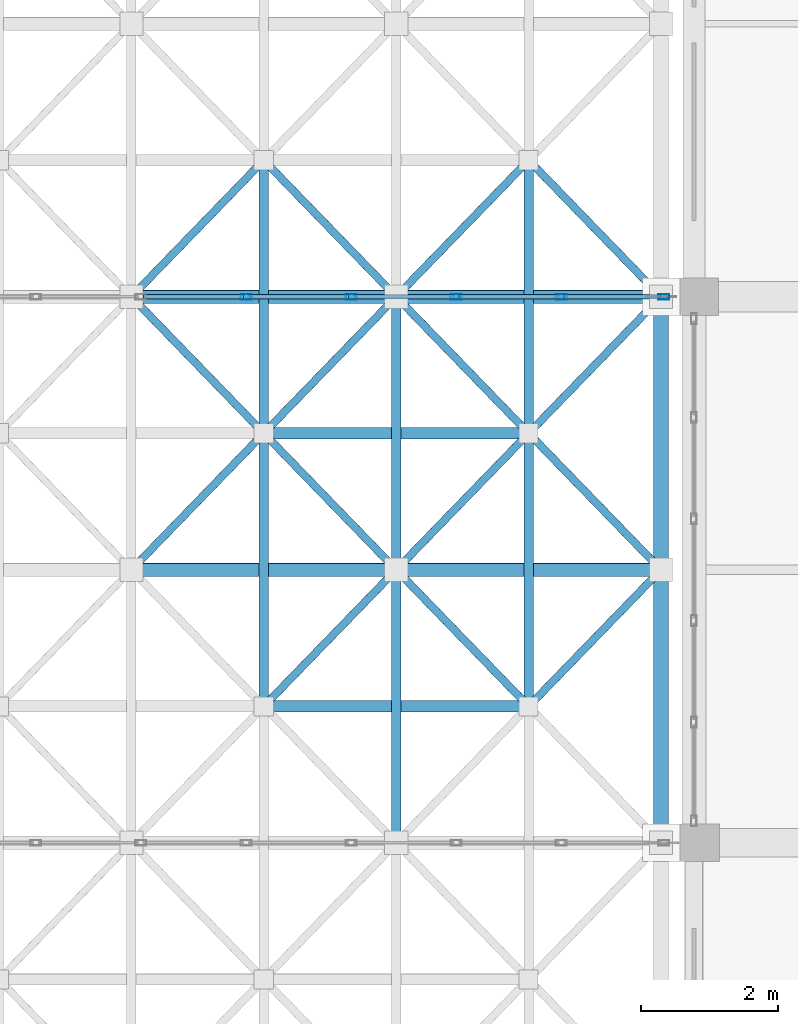
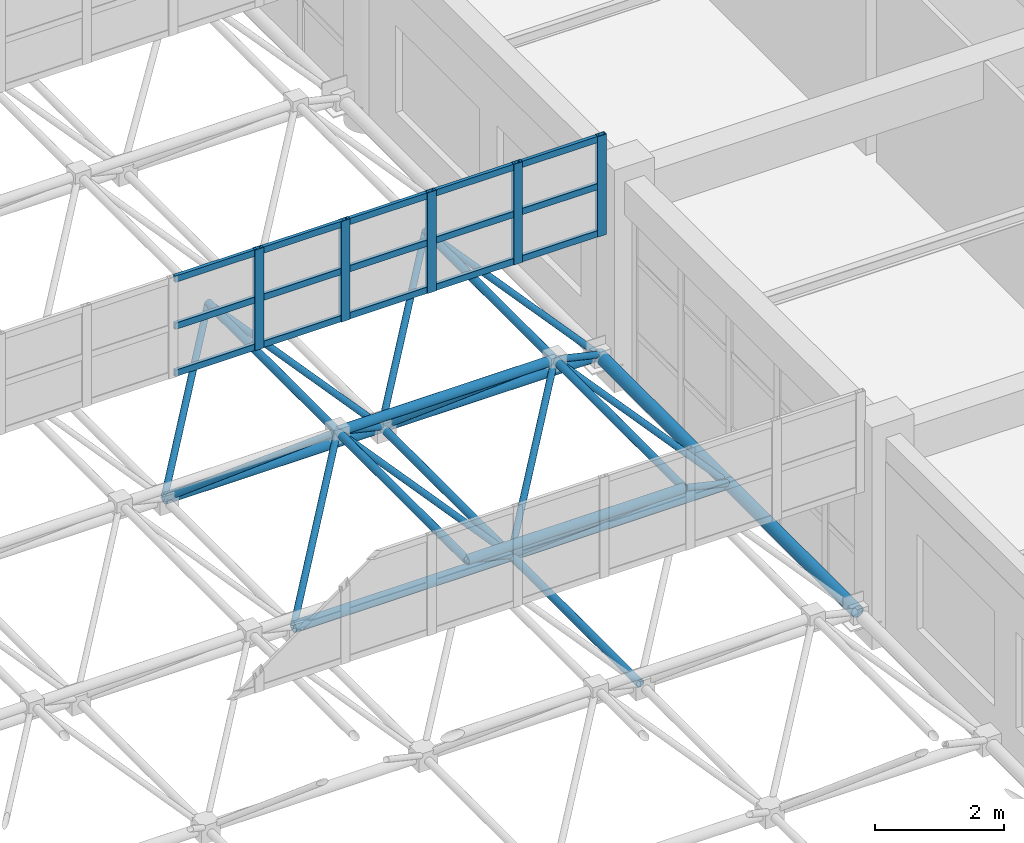
# One storey, part 88 of 195: 49 members, 1 element without a shape of its own.
"""IFC4 building model written with IfcOpenShell, lengths in metres."""

from ifc_helpers import new_model, si_unit, direction, frame, origin, origin_2d, place, context, subcontext, project, spatial, hollow_rectangle, hollow_circle, extrude, material, material_profile, profile_set, type_object, element, aggregate, save


model = new_model("IFC4")

# Units and contexts
model_context = context("Model", 3, precision=1e-05, world=origin(), true_north=direction((0.0, 1.0)))
body_context = subcontext(model_context, "Body", "Model", "MODEL_VIEW")
ifc_project = project(units=[si_unit("LENGTHUNIT", "METRE"), si_unit("AREAUNIT", "SQUARE_METRE"), si_unit("VOLUMEUNIT", "CUBIC_METRE"), si_unit("PLANEANGLEUNIT", "RADIAN"), si_unit("MASSUNIT", "GRAM", prefix="KILO")], contexts=[model_context])

# Site, building, storey
site_placement = place(None, origin())
site = spatial("IfcSite", under=ifc_project, at=site_placement, CompositionType="ELEMENT")
building_placement = place(site_placement, origin())
building = spatial("IfcBuilding", under=site, at=building_placement, Name="Kharva Crest Polytechnic", CompositionType="ELEMENT")
storey_placement = place(building_placement, frame((0.0, 0.0, 9.0)))
storey = spatial("IfcBuildingStorey", under=building, at=storey_placement, Name="L02", CompositionType="ELEMENT", Elevation=9.0)

# Curtain wall, members
ifc_material_1 = material(Name="Tempered insulated glass", Category="glass")
curtain_wall_type = type_object("IfcCurtainWallType", Name="CW-SYS-NORTHLIGHT", PredefinedType="USERDEFINED", material=ifc_material_1)
curtain_wall_placement = place(storey_placement, origin())
curtain_wall = element("IfcCurtainWall", 1, at=curtain_wall_placement, inside=storey, type_object=curtain_wall_type, Name="L02 Glazed Curtain Wall CW-196", ObjectType="CURTAIN WALL", PredefinedType="USERDEFINED")
ifc_material_2 = material(Name="Steel S355", Category="steel")
ifc_material_profile_1 = material_profile(ifc_material_2, hollow_rectangle(XDim=0.080078125, YDim=0.159912109375, WallThickness=0.0048828125, at=origin_2d()), Name="RHS 160X80X5.0")
ifc_profile_set_1 = profile_set([ifc_material_profile_1], Name="Steel S355")
member_type_1 = type_object("IfcMemberType", Name="CWM-RHS160X80", PredefinedType="MULLION", material=ifc_profile_set_1)
member_1_placement = place(storey_placement, frame((25.43994140625, 70.800048828125, 2.85009765625), z_axis=(0.0, 0.0, 1.0), x_axis=(0.0, 1.0, 0.0)))
member_1 = element("IfcMember", 2, at=member_1_placement, type_object=member_type_1, Name="CW-196 mullion 7", PredefinedType="MULLION", context=body_context, shape_type="SweptSolid", body=[
    extrude(hollow_rectangle(XDim=0.080078125, YDim=0.159912109375, WallThickness=0.0048828125, at=origin_2d()), origin(), (0.0, 0.0, 1.0), 1.89990234375),
])
member_2_placement = place(storey_placement, frame((26.97998046875, 70.800048828125, 2.85009765625), z_axis=(0.0, 0.0, 1.0), x_axis=(0.0, 1.0, 0.0)))
member_2 = element("IfcMember", 3, at=member_2_placement, type_object=member_type_1, Name="CW-196 mullion 8", PredefinedType="MULLION", context=body_context, shape_type="SweptSolid", body=[
    extrude(hollow_rectangle(XDim=0.080078125, YDim=0.159912109375, WallThickness=0.0048828125, at=origin_2d()), origin(), (0.0, 0.0, 1.0), 1.89990234375),
])
member_3_placement = place(storey_placement, frame((28.52001953125, 70.800048828125, 2.85009765625), z_axis=(0.0, 0.0, 1.0), x_axis=(0.0, 1.0, 0.0)))
member_3 = element("IfcMember", 4, at=member_3_placement, type_object=member_type_1, Name="CW-196 mullion 9", PredefinedType="MULLION", context=body_context, shape_type="SweptSolid", body=[
    extrude(hollow_rectangle(XDim=0.080078125, YDim=0.159912109375, WallThickness=0.0048828125, at=origin_2d()), origin(), (0.0, 0.0, 1.0), 1.89990234375),
])
member_4_placement = place(storey_placement, frame((30.06005859375, 70.800048828125, 2.85009765625), z_axis=(0.0, 0.0, 1.0), x_axis=(0.0, 1.0, 0.0)))
member_4 = element("IfcMember", 5, at=member_4_placement, type_object=member_type_1, Name="CW-196 mullion 10", PredefinedType="MULLION", context=body_context, shape_type="SweptSolid", body=[
    extrude(hollow_rectangle(XDim=0.080078125, YDim=0.159912109375, WallThickness=0.0048828125, at=origin_2d()), origin(), (0.0, 0.0, 1.0), 1.89990234375),
])
member_5_placement = place(storey_placement, frame((31.56005859375, 70.800048828125, 2.85009765625), z_axis=(0.0, 0.0, 1.0), x_axis=(0.0, 1.0, 0.0)))
member_5 = element("IfcMember", 6, at=member_5_placement, type_object=member_type_1, Name="CW-196 mullion 11", PredefinedType="MULLION", context=body_context, shape_type="SweptSolid", body=[
    extrude(hollow_rectangle(XDim=0.080078125, YDim=0.159912109375, WallThickness=0.0048828125, at=origin_2d()), origin(), (0.0, 0.0, 1.0), 1.89990234375),
])
ifc_material_profile_2 = material_profile(ifc_material_2, hollow_rectangle(XDim=0.06005859375, YDim=0.1201171875, WallThickness=0.00390625, at=origin_2d()), Name="RHS 120X60X4.0")
ifc_profile_set_2 = profile_set([ifc_material_profile_2], Name="Steel S355")
member_type_2 = type_object("IfcMemberType", Name="CWT-RHS120X60", PredefinedType="USERDEFINED", material=ifc_profile_set_2)
member_6_placement = place(storey_placement, frame((23.93994140625, 70.800048828125, 2.909912109375), z_axis=(1.0, 0.0, 0.0), x_axis=(0.0, 1.0, 0.0)))
member_6 = element("IfcMember", 7, at=member_6_placement, type_object=member_type_2, Name="CW-196 transom 6.1", ObjectType="TRANSOM", PredefinedType="USERDEFINED", context=body_context, shape_type="SweptSolid", body=[
    extrude(hollow_rectangle(XDim=0.06005859375, YDim=0.1201171875, WallThickness=0.00390625, at=origin_2d()), origin(), (0.0, 0.0, 1.0), 1.4599609375),
])
member_7_placement = place(storey_placement, frame((23.93994140625, 70.800048828125, 3.800048828125), z_axis=(1.0, 0.0, 0.0), x_axis=(0.0, 1.0, 0.0)))
member_7 = element("IfcMember", 8, at=member_7_placement, type_object=member_type_2, Name="CW-196 transom 6.2", ObjectType="TRANSOM", PredefinedType="USERDEFINED", context=body_context, shape_type="SweptSolid", body=[
    extrude(hollow_rectangle(XDim=0.06005859375, YDim=0.1201171875, WallThickness=0.00390625, at=origin_2d()), origin(), (0.0, 0.0, 1.0), 1.4599609375),
])
member_8_placement = place(storey_placement, frame((23.93994140625, 70.800048828125, 4.68994140625), z_axis=(1.0, 0.0, 0.0), x_axis=(0.0, 1.0, 0.0)))
member_8 = element("IfcMember", 9, at=member_8_placement, type_object=member_type_2, Name="CW-196 transom 6.3", ObjectType="TRANSOM", PredefinedType="USERDEFINED", context=body_context, shape_type="SweptSolid", body=[
    extrude(hollow_rectangle(XDim=0.06005859375, YDim=0.1201171875, WallThickness=0.00390625, at=origin_2d()), origin(), (0.0, 0.0, 1.0), 1.4599609375),
])
member_9_placement = place(storey_placement, frame((25.47998046875, 70.800048828125, 2.909912109375), z_axis=(1.0, 0.0, 0.0), x_axis=(0.0, 1.0, 0.0)))
member_9 = element("IfcMember", 10, at=member_9_placement, type_object=member_type_2, Name="CW-196 transom 7.1", ObjectType="TRANSOM", PredefinedType="USERDEFINED", context=body_context, shape_type="SweptSolid", body=[
    extrude(hollow_rectangle(XDim=0.06005859375, YDim=0.1201171875, WallThickness=0.00390625, at=origin_2d()), origin(), (0.0, 0.0, 1.0), 1.4599609375),
])
member_10_placement = place(storey_placement, frame((25.47998046875, 70.800048828125, 3.800048828125), z_axis=(1.0, 0.0, 0.0), x_axis=(0.0, 1.0, 0.0)))
member_10 = element("IfcMember", 11, at=member_10_placement, type_object=member_type_2, Name="CW-196 transom 7.2", ObjectType="TRANSOM", PredefinedType="USERDEFINED", context=body_context, shape_type="SweptSolid", body=[
    extrude(hollow_rectangle(XDim=0.06005859375, YDim=0.1201171875, WallThickness=0.00390625, at=origin_2d()), origin(), (0.0, 0.0, 1.0), 1.4599609375),
])
member_11_placement = place(storey_placement, frame((25.47998046875, 70.800048828125, 4.68994140625), z_axis=(1.0, 0.0, 0.0), x_axis=(0.0, 1.0, 0.0)))
member_11 = element("IfcMember", 12, at=member_11_placement, type_object=member_type_2, Name="CW-196 transom 7.3", ObjectType="TRANSOM", PredefinedType="USERDEFINED", context=body_context, shape_type="SweptSolid", body=[
    extrude(hollow_rectangle(XDim=0.06005859375, YDim=0.1201171875, WallThickness=0.00390625, at=origin_2d()), origin(), (0.0, 0.0, 1.0), 1.4599609375),
])
member_12_placement = place(storey_placement, frame((27.02001953125, 70.800048828125, 2.909912109375), z_axis=(1.0, 0.0, 0.0), x_axis=(0.0, 1.0, 0.0)))
member_12 = element("IfcMember", 13, at=member_12_placement, type_object=member_type_2, Name="CW-196 transom 8.1", ObjectType="TRANSOM", PredefinedType="USERDEFINED", context=body_context, shape_type="SweptSolid", body=[
    extrude(hollow_rectangle(XDim=0.06005859375, YDim=0.1201171875, WallThickness=0.00390625, at=origin_2d()), origin(), (0.0, 0.0, 1.0), 1.4599609375),
])
member_13_placement = place(storey_placement, frame((27.02001953125, 70.800048828125, 3.800048828125), z_axis=(1.0, 0.0, 0.0), x_axis=(0.0, 1.0, 0.0)))
member_13 = element("IfcMember", 14, at=member_13_placement, type_object=member_type_2, Name="CW-196 transom 8.2", ObjectType="TRANSOM", PredefinedType="USERDEFINED", context=body_context, shape_type="SweptSolid", body=[
    extrude(hollow_rectangle(XDim=0.06005859375, YDim=0.1201171875, WallThickness=0.00390625, at=origin_2d()), origin(), (0.0, 0.0, 1.0), 1.4599609375),
])
member_14_placement = place(storey_placement, frame((27.02001953125, 70.800048828125, 4.68994140625), z_axis=(1.0, 0.0, 0.0), x_axis=(0.0, 1.0, 0.0)))
member_14 = element("IfcMember", 15, at=member_14_placement, type_object=member_type_2, Name="CW-196 transom 8.3", ObjectType="TRANSOM", PredefinedType="USERDEFINED", context=body_context, shape_type="SweptSolid", body=[
    extrude(hollow_rectangle(XDim=0.06005859375, YDim=0.1201171875, WallThickness=0.00390625, at=origin_2d()), origin(), (0.0, 0.0, 1.0), 1.4599609375),
])
member_15_placement = place(storey_placement, frame((28.56005859375, 70.800048828125, 2.909912109375), z_axis=(1.0, 0.0, 0.0), x_axis=(0.0, 1.0, 0.0)))
member_15 = element("IfcMember", 16, at=member_15_placement, type_object=member_type_2, Name="CW-196 transom 9.1", ObjectType="TRANSOM", PredefinedType="USERDEFINED", context=body_context, shape_type="SweptSolid", body=[
    extrude(hollow_rectangle(XDim=0.06005859375, YDim=0.1201171875, WallThickness=0.00390625, at=origin_2d()), origin(), (0.0, 0.0, 1.0), 1.4599609375),
])
member_16_placement = place(storey_placement, frame((28.56005859375, 70.800048828125, 3.800048828125), z_axis=(1.0, 0.0, 0.0), x_axis=(0.0, 1.0, 0.0)))
member_16 = element("IfcMember", 17, at=member_16_placement, type_object=member_type_2, Name="CW-196 transom 9.2", ObjectType="TRANSOM", PredefinedType="USERDEFINED", context=body_context, shape_type="SweptSolid", body=[
    extrude(hollow_rectangle(XDim=0.06005859375, YDim=0.1201171875, WallThickness=0.00390625, at=origin_2d()), origin(), (0.0, 0.0, 1.0), 1.4599609375),
])
member_17_placement = place(storey_placement, frame((28.56005859375, 70.800048828125, 4.68994140625), z_axis=(1.0, 0.0, 0.0), x_axis=(0.0, 1.0, 0.0)))
member_17 = element("IfcMember", 18, at=member_17_placement, type_object=member_type_2, Name="CW-196 transom 9.3", ObjectType="TRANSOM", PredefinedType="USERDEFINED", context=body_context, shape_type="SweptSolid", body=[
    extrude(hollow_rectangle(XDim=0.06005859375, YDim=0.1201171875, WallThickness=0.00390625, at=origin_2d()), origin(), (0.0, 0.0, 1.0), 1.4599609375),
])
member_18_placement = place(storey_placement, frame((30.10009765625, 70.800048828125, 2.909912109375), z_axis=(1.0, 0.0, 0.0), x_axis=(0.0, 1.0, 0.0)))
member_18 = element("IfcMember", 19, at=member_18_placement, type_object=member_type_2, Name="CW-196 transom 10.1", ObjectType="TRANSOM", PredefinedType="USERDEFINED", context=body_context, shape_type="SweptSolid", body=[
    extrude(hollow_rectangle(XDim=0.06005859375, YDim=0.1201171875, WallThickness=0.00390625, at=origin_2d()), origin(), (0.0, 0.0, 1.0), 1.419921875),
])
member_19_placement = place(storey_placement, frame((30.10009765625, 70.800048828125, 3.800048828125), z_axis=(1.0, 0.0, 0.0), x_axis=(0.0, 1.0, 0.0)))
member_19 = element("IfcMember", 20, at=member_19_placement, type_object=member_type_2, Name="CW-196 transom 10.2", ObjectType="TRANSOM", PredefinedType="USERDEFINED", context=body_context, shape_type="SweptSolid", body=[
    extrude(hollow_rectangle(XDim=0.06005859375, YDim=0.1201171875, WallThickness=0.00390625, at=origin_2d()), origin(), (0.0, 0.0, 1.0), 1.419921875),
])
member_20_placement = place(storey_placement, frame((30.10009765625, 70.800048828125, 4.68994140625), z_axis=(1.0, 0.0, 0.0), x_axis=(0.0, 1.0, 0.0)))
member_20 = element("IfcMember", 21, at=member_20_placement, type_object=member_type_2, Name="CW-196 transom 10.3", ObjectType="TRANSOM", PredefinedType="USERDEFINED", context=body_context, shape_type="SweptSolid", body=[
    extrude(hollow_rectangle(XDim=0.06005859375, YDim=0.1201171875, WallThickness=0.00390625, at=origin_2d()), origin(), (0.0, 0.0, 1.0), 1.419921875),
])
aggregate(curtain_wall, [member_1, member_2, member_3, member_4, member_5, member_6, member_7, member_8, member_9, member_10, member_11, member_12, member_13, member_14, member_15, member_16, member_17, member_18, member_19, member_20])

# Members
ifc_material_profile_3 = material_profile(ifc_material_2, hollow_circle(Radius=0.05712890625, WallThickness=0.00634765625, at=origin_2d()), Name="CHS 114.3X6.3")
ifc_profile_set_3 = profile_set([ifc_material_profile_3], Name="Steel S355")
member_type_3 = type_object("IfcMemberType", Name="MEM-CHS114", PredefinedType="BRACE", material=ifc_profile_set_3)
for number, where, z_axis, x_axis, name in (
    (22, (27.639892578125, 66.800048828125, 0.60009765625), (-0.584843378742, -0.602949529154, 0.542595694449), (0.717802189577, -0.696247094528, 0.0), "Space Frame Web Diagonal 812"),
    (23, (23.760009765625, 66.800048828125, 0.60009765625), (0.584843378742, 0.602949529154, 0.542595694449), (-0.717802189577, 0.696247094528, 0.0), "Space Frame Web Diagonal 813"),
    (24, (27.639892578125, 66.800048828125, 0.60009765625), (-0.584843378742, 0.602949529154, 0.542595694449), (-0.717802189577, -0.696247094528, 0.0), "Space Frame Web Diagonal 814"),
    (25, (23.760009765625, 70.800048828125, 0.60009765625), (0.584843378742, -0.602949529154, 0.542595694449), (0.717802189577, 0.696247094528, 0.0), "Space Frame Web Diagonal 815"),
    (26, (27.639892578125, 70.800048828125, 0.60009765625), (-0.584843378742, -0.602949529154, 0.542595694449), (0.717802189577, -0.696247094528, 0.0), "Space Frame Web Diagonal 816"),
    (27, (23.760009765625, 70.800048828125, 0.60009765625), (0.584843378742, 0.602949529154, 0.542595694449), (-0.717802189577, 0.696247094528, 0.0), "Space Frame Web Diagonal 817"),
    (28, (27.639892578125, 70.800048828125, 0.60009765625), (-0.584843378742, 0.602949529154, 0.542595694449), (-0.717802189577, -0.696247094528, 0.0), "Space Frame Web Diagonal 818"),
    (29, (27.639892578125, 66.800048828125, 0.60009765625), (0.584891802813, -0.602923574763, 0.542572338032), (0.717758400015, 0.696292236929, 0.0), "Space Frame Web Diagonal 867"),
    (30, (31.52001953125, 66.800048828125, 0.60009765625), (-0.584843378742, -0.602949529154, 0.542595694449), (0.717802189577, -0.696247094528, 0.0), "Space Frame Web Diagonal 868"),
    (31, (27.639892578125, 66.800048828125, 0.60009765625), (0.584891802813, 0.602923574763, 0.542572338032), (-0.717758400015, 0.696292236929, 0.0), "Space Frame Web Diagonal 869"),
    (32, (31.52001953125, 66.800048828125, 0.60009765625), (-0.584843378742, 0.602949529154, 0.542595694449), (-0.717802189577, -0.696247094528, 0.0), "Space Frame Web Diagonal 870"),
    (33, (27.639892578125, 70.800048828125, 0.60009765625), (0.584891802813, -0.602923574763, 0.542572338032), (0.717758400015, 0.696292236929, 0.0), "Space Frame Web Diagonal 871"),
    (34, (31.52001953125, 70.800048828125, 0.60009765625), (-0.584843378742, -0.602949529154, 0.542595694449), (0.717802189577, -0.696247094528, 0.0), "Space Frame Web Diagonal 872"),
    (35, (27.639892578125, 70.800048828125, 0.60009765625), (0.584891802813, 0.602923574763, 0.542572338032), (-0.717758400015, 0.696292236929, 0.0), "Space Frame Web Diagonal 873"),
    (36, (31.52001953125, 70.800048828125, 0.60009765625), (-0.584843378742, 0.602949529154, 0.542595694449), (-0.717802189577, -0.696247094528, 0.0), "Space Frame Web Diagonal 874"),
):
    element("IfcMember", number, at=place(storey_placement, frame(where, z_axis=z_axis, x_axis=x_axis)), inside=storey, type_object=member_type_3, Name=name, PredefinedType="BRACE", context=body_context, shape_type="SweptSolid", body=[
        extrude(hollow_circle(Radius=0.05712890625, WallThickness=0.00634765625, at=origin_2d()), origin(), (0.0, 0.0, 1.0), 3.317138671875),
    ])
ifc_material_profile_4 = material_profile(ifc_material_2, hollow_circle(Radius=0.06982421875, WallThickness=0.00634765625, at=origin_2d()), Name="CHS 139.7X6.3")
ifc_profile_set_4 = profile_set([ifc_material_profile_4], Name="Steel S355")
member_type_4 = type_object("IfcMemberType", Name="MEM-CHS139", PredefinedType="CHORD", material=ifc_profile_set_4)
for number, where, z_axis, x_axis, name in (
    (37, (27.639892578125, 62.800048828125, 0.60009765625), (0.0, 1.0, 0.0), (-1.0, 0.0, 0.0), "Space Frame Bottom Chord Y 225"),
    (38, (27.639892578125, 66.800048828125, 0.60009765625), (0.0, 1.0, 0.0), (-1.0, 0.0, 0.0), "Space Frame Bottom Chord Y 226"),
    (39, (25.699951171875, 64.800048828125, 2.39990234375), (0.0, 1.0, 0.0), (-1.0, 0.0, 0.0), "Space Frame Top Chord Y 429"),
    (40, (25.699951171875, 68.800048828125, 2.39990234375), (0.0, 1.0, 0.0), (-1.0, 0.0, 0.0), "Space Frame Top Chord Y 430"),
    (41, (29.580078125, 64.800048828125, 2.39990234375), (0.0, 1.0, 0.0), (-1.0, 0.0, 0.0), "Space Frame Top Chord Y 442"),
    (42, (29.580078125, 68.800048828125, 2.39990234375), (0.0, 1.0, 0.0), (-1.0, 0.0, 0.0), "Space Frame Top Chord Y 443"),
):
    element("IfcMember", number, at=place(storey_placement, frame(where, z_axis=z_axis, x_axis=x_axis)), inside=storey, type_object=member_type_4, Name=name, PredefinedType="CHORD", context=body_context, shape_type="SweptSolid", body=[
        extrude(hollow_circle(Radius=0.06982421875, WallThickness=0.00634765625, at=origin_2d()), origin(), (0.0, 0.0, 1.0), 4.0),
    ])
ifc_material_profile_5 = material_profile(ifc_material_2, hollow_circle(Radius=0.084228515625, WallThickness=0.008056640625, at=origin_2d()), Name="CHS 168.3X8.0")
ifc_profile_set_5 = profile_set([ifc_material_profile_5], Name="Steel S355")
member_type_5 = type_object("IfcMemberType", Name="MEM-CHS168", PredefinedType="CHORD", material=ifc_profile_set_5)
for number, where, z_axis, x_axis, name in (
    (43, (25.699951171875, 64.800048828125, 2.39990234375), (1.0, 0.0, 0.0), (0.0, 1.0, 0.0), "Space Frame Top Chord X 295"),
    (44, (25.699951171875, 68.800048828125, 2.39990234375), (1.0, 0.0, 0.0), (0.0, 1.0, 0.0), "Space Frame Top Chord X 302"),
):
    element("IfcMember", number, at=place(storey_placement, frame(where, z_axis=z_axis, x_axis=x_axis)), inside=storey, type_object=member_type_5, Name=name, PredefinedType="CHORD", context=body_context, shape_type="SweptSolid", body=[
        extrude(hollow_circle(Radius=0.084228515625, WallThickness=0.008056640625, at=origin_2d()), origin(), (0.0, 0.0, 1.0), 3.880126953125),
    ])
ifc_material_profile_6 = material_profile(ifc_material_2, hollow_circle(Radius=0.096923828125, WallThickness=0.008056640625, at=origin_2d()), Name="CHS 193.7X8.0")
ifc_profile_set_6 = profile_set([ifc_material_profile_6], Name="Steel S355")
member_type_6 = type_object("IfcMemberType", Name="MEM-CHS193", PredefinedType="CHORD", material=ifc_profile_set_6)
member_21_placement = place(storey_placement, frame((23.760009765625, 66.800048828125, 0.60009765625), z_axis=(1.0, 0.0, 0.0), x_axis=(0.0, 1.0, 0.0)))
element("IfcMember", 45, at=member_21_placement, inside=storey, type_object=member_type_6, Name="Space Frame Bottom Chord X 63", PredefinedType="CHORD", context=body_context, shape_type="SweptSolid", body=[
    extrude(hollow_circle(Radius=0.096923828125, WallThickness=0.008056640625, at=origin_2d()), origin(), (0.0, 0.0, 1.0), 3.8798828125),
])
member_22_placement = place(storey_placement, frame((27.639892578125, 66.800048828125, 0.60009765625), z_axis=(1.0, 0.0, 0.0), x_axis=(0.0, 1.0, 0.0)))
element("IfcMember", 46, at=member_22_placement, inside=storey, type_object=member_type_6, Name="Space Frame Bottom Chord X 64", PredefinedType="CHORD", context=body_context, shape_type="SweptSolid", body=[
    extrude(hollow_circle(Radius=0.096923828125, WallThickness=0.008056640625, at=origin_2d()), origin(), (0.0, 0.0, 1.0), 3.880126953125),
])
member_23_placement = place(storey_placement, frame((23.760009765625, 70.800048828125, 0.60009765625), z_axis=(1.0, 0.0, 0.0), x_axis=(0.0, 1.0, 0.0)))
element("IfcMember", 47, at=member_23_placement, inside=storey, type_object=member_type_6, Name="Space Frame Bottom Chord X 71", PredefinedType="CHORD", context=body_context, shape_type="SweptSolid", body=[
    extrude(hollow_circle(Radius=0.096923828125, WallThickness=0.008056640625, at=origin_2d()), origin(), (0.0, 0.0, 1.0), 3.8798828125),
])
member_24_placement = place(storey_placement, frame((27.639892578125, 70.800048828125, 0.60009765625), z_axis=(1.0, 0.0, 0.0), x_axis=(0.0, 1.0, 0.0)))
element("IfcMember", 48, at=member_24_placement, inside=storey, type_object=member_type_6, Name="Space Frame Bottom Chord X 72", PredefinedType="CHORD", context=body_context, shape_type="SweptSolid", body=[
    extrude(hollow_circle(Radius=0.096923828125, WallThickness=0.008056640625, at=origin_2d()), origin(), (0.0, 0.0, 1.0), 3.880126953125),
])
ifc_material_profile_7 = material_profile(ifc_material_2, hollow_circle(Radius=0.109619140625, WallThickness=0.010009765625, at=origin_2d()), Name="CHS 219.1X10.0")
ifc_profile_set_7 = profile_set([ifc_material_profile_7], Name="Steel S355")
member_type_7 = type_object("IfcMemberType", Name="MEM-CHS219", PredefinedType="CHORD", material=ifc_profile_set_7)
for number, where, z_axis, x_axis, name in (
    (49, (31.52001953125, 62.800048828125, 0.60009765625), (0.0, 1.0, 0.0), (-1.0, 0.0, 0.0), "Space Frame Bottom Chord Y 239"),
    (50, (31.52001953125, 66.800048828125, 0.60009765625), (0.0, 1.0, 0.0), (-1.0, 0.0, 0.0), "Space Frame Bottom Chord Y 240"),
):
    element("IfcMember", number, at=place(storey_placement, frame(where, z_axis=z_axis, x_axis=x_axis)), inside=storey, type_object=member_type_7, Name=name, PredefinedType="CHORD", context=body_context, shape_type="SweptSolid", body=[
        extrude(hollow_circle(Radius=0.109619140625, WallThickness=0.010009765625, at=origin_2d()), origin(), (0.0, 0.0, 1.0), 4.0),
    ])

save(model, "model.ifc")
